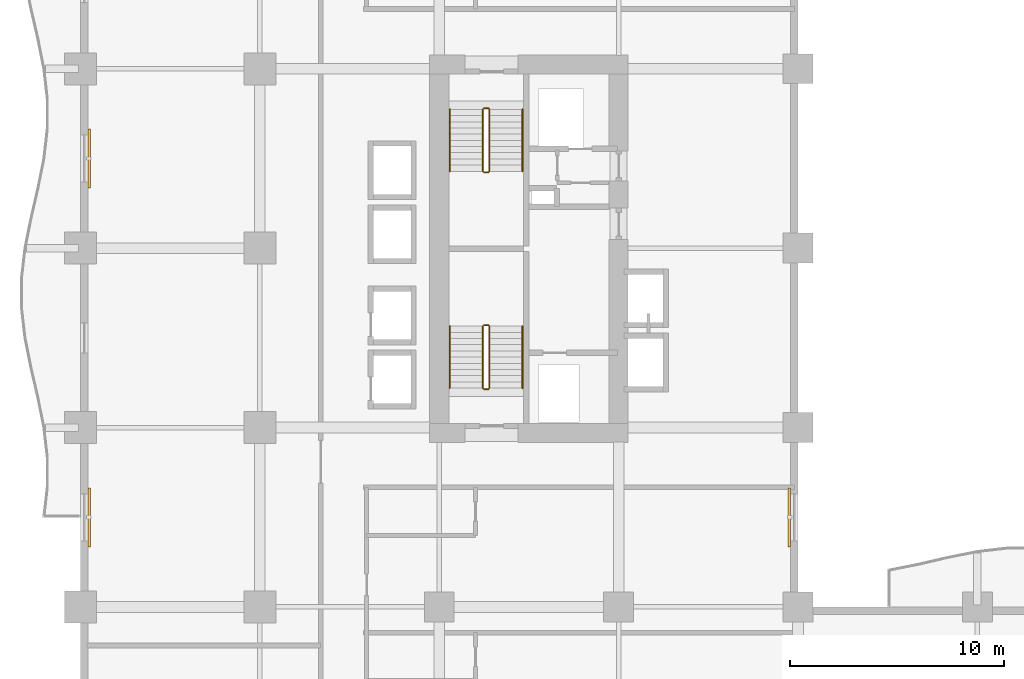
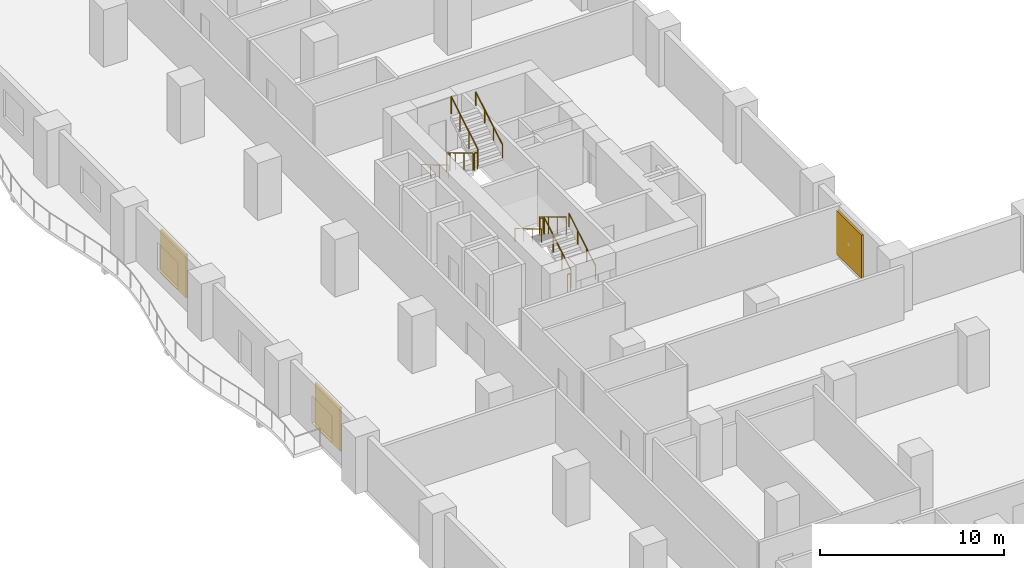
# One storey, part 19 of 20: 12 railings, 3 shading devices.
"""IFC4 building model written with IfcOpenShell, lengths in metres."""

from ifc_helpers import new_model, si_unit, direction, frame, origin, origin_2d, place, context, subcontext, project, spatial, rectangle, circle, extrude, material, layer, layer_set, type_object, element, save


model = new_model("IFC4")

# Units and contexts
model_context = context("Model", 3, precision=1e-05, world=origin(), true_north=direction((0.0, 1.0)))
body_context = subcontext(model_context, "Body", "Model", "MODEL_VIEW")
ifc_project = project(units=[si_unit("LENGTHUNIT", "METRE"), si_unit("AREAUNIT", "SQUARE_METRE"), si_unit("VOLUMEUNIT", "CUBIC_METRE"), si_unit("PLANEANGLEUNIT", "RADIAN"), si_unit("MASSUNIT", "GRAM", prefix="KILO")], contexts=[model_context])

# Site, building, storey
site_placement = place(None, origin())
site = spatial("IfcSite", under=ifc_project, at=site_placement, CompositionType="ELEMENT")
building_placement = place(site_placement, origin())
building = spatial("IfcBuilding", under=site, at=building_placement, Name="Koriwani Terraces Tower", CompositionType="ELEMENT")
storey_placement = place(building_placement, frame((0.0, 0.0, 58.60009765625)))
storey = spatial("IfcBuildingStorey", under=building, at=storey_placement, Name="L13", CompositionType="ELEMENT", Elevation=58.60009765625)

# Railings
ifc_material_1 = material(Name="Steel ASTM A572 Grade 50", Category="steel")
railing_type_1 = type_object("IfcRailingType", Name="GUARD_STAIR_WELL_1120", PredefinedType="GUARDRAIL", material=ifc_material_1)
railing_1_placement = place(storey_placement, frame((19.14990234375, 43.85009765625, 0.172607421875)))
element("IfcRailing", 1, at=railing_1_placement, inside=storey, type_object=railing_type_1, Name="L13 ST-W1 stair guard 1", PredefinedType="GUARDRAIL", context=body_context, shape_type="SweptSolid", body=[
    extrude(circle(Radius=0.02392578125, at=origin_2d()), frame((0.0, 0.0, 1.1259765625), z_axis=(0.0, 0.859141464434, 0.511738159696), x_axis=(-1.0, 0.0, 0.0)), (0.0, 0.0, 1.0), 3.375244140625),
    extrude(circle(Radius=0.02099609375, at=origin_2d()), origin(), (0.0, 0.0, 1.0), 1.101806640625),
    extrude(circle(Radius=0.02099609375, at=origin_2d()), frame((0.0, 0.966552734375, 0.57568359375)), (0.0, 0.0, 1.0), 1.101806640625),
    extrude(circle(Radius=0.02099609375, at=origin_2d()), frame((0.0, 1.933349609375, 1.151611328125)), (0.0, 0.0, 1.0), 1.101806640625),
    extrude(circle(Radius=0.02099609375, at=origin_2d()), frame((0.0, 2.89990234375, 1.727294921875)), (0.0, 0.0, 1.0), 1.101806640625),
])
railing_2_placement = place(storey_placement, frame((19.10009765625, 46.800048828125, 1.89990234375)))
element("IfcRailing", 2, at=railing_2_placement, inside=storey, type_object=railing_type_1, Name="L13 ST-W1 stair guard 2", PredefinedType="GUARDRAIL", context=body_context, shape_type="SweptSolid", body=[
    extrude(circle(Radius=0.02392578125, at=origin_2d()), frame((0.0, 0.0, 1.1259765625), z_axis=(-1.0, 0.0, 0.0), x_axis=(0.0, -1.0, 0.0)), (0.0, 0.0, 1.0), 0.2001953125),
    extrude(circle(Radius=0.02099609375, at=origin_2d()), origin(), (0.0, 0.0, 1.0), 1.101806640625),
    extrude(circle(Radius=0.02099609375, at=origin_2d()), frame((-0.2001953125, 0.0, 0.0)), (0.0, 0.0, 1.0), 1.101806640625),
])
railing_3_placement = place(storey_placement, frame((18.85009765625, 46.75, 2.072509765625)))
element("IfcRailing", 3, at=railing_3_placement, inside=storey, type_object=railing_type_1, Name="L13 ST-W1 stair guard 3", PredefinedType="GUARDRAIL", context=body_context, shape_type="SweptSolid", body=[
    extrude(circle(Radius=0.02392578125, at=origin_2d()), frame((0.0, 0.0, 1.1259765625), z_axis=(0.0, -0.859141464434, 0.511738159696), x_axis=(1.0, 0.0, 0.0)), (0.0, 0.0, 1.0), 3.375244140625),
    extrude(circle(Radius=0.02099609375, at=origin_2d()), origin(), (0.0, 0.0, 1.0), 1.101806640625),
    extrude(circle(Radius=0.02099609375, at=origin_2d()), frame((0.0, -0.966552734375, 0.57568359375)), (0.0, 0.0, 1.0), 1.101806640625),
    extrude(circle(Radius=0.02099609375, at=origin_2d()), frame((0.0, -1.933349609375, 1.151611328125)), (0.0, 0.0, 1.0), 1.101806640625),
    extrude(circle(Radius=0.02099609375, at=origin_2d()), frame((0.0, -2.89990234375, 1.727294921875)), (0.0, 0.0, 1.0), 1.101806640625),
])
railing_4_placement = place(storey_placement, frame((19.10009765625, 43.800048828125, 0.0)))
element("IfcRailing", 4, at=railing_4_placement, inside=storey, type_object=railing_type_1, Name="L13 ST-W1 stair guard 4", PredefinedType="GUARDRAIL", context=body_context, shape_type="SweptSolid", body=[
    extrude(circle(Radius=0.02392578125, at=origin_2d()), frame((0.0, 0.0, 1.1259765625), z_axis=(-1.0, 0.0, 0.0), x_axis=(0.0, -1.0, 0.0)), (0.0, 0.0, 1.0), 0.2001953125),
    extrude(circle(Radius=0.02099609375, at=origin_2d()), origin(), (0.0, 0.0, 1.0), 1.101806640625),
    extrude(circle(Radius=0.02099609375, at=origin_2d()), frame((-0.2001953125, 0.0, 0.0)), (0.0, 0.0, 1.0), 1.101806640625),
])
railing_5_placement = place(storey_placement, frame((18.85009765625, 56.89990234375, 0.172607421875)))
element("IfcRailing", 5, at=railing_5_placement, inside=storey, type_object=railing_type_1, Name="L13 ST-W2 stair guard 1", PredefinedType="GUARDRAIL", context=body_context, shape_type="SweptSolid", body=[
    extrude(circle(Radius=0.02392578125, at=origin_2d()), frame((0.0, 0.0, 1.1259765625), z_axis=(0.0, -0.859141464434, 0.511738159696), x_axis=(1.0, 0.0, 0.0)), (0.0, 0.0, 1.0), 3.375244140625),
    extrude(circle(Radius=0.02099609375, at=origin_2d()), origin(), (0.0, 0.0, 1.0), 1.101806640625),
    extrude(circle(Radius=0.02099609375, at=origin_2d()), frame((0.0, -0.966552734375, 0.57568359375)), (0.0, 0.0, 1.0), 1.101806640625),
    extrude(circle(Radius=0.02099609375, at=origin_2d()), frame((0.0, -1.933349609375, 1.151611328125)), (0.0, 0.0, 1.0), 1.101806640625),
    extrude(circle(Radius=0.02099609375, at=origin_2d()), frame((0.0, -2.89990234375, 1.727294921875)), (0.0, 0.0, 1.0), 1.101806640625),
])
railing_6_placement = place(storey_placement, frame((18.89990234375, 53.949951171875, 1.89990234375)))
element("IfcRailing", 6, at=railing_6_placement, inside=storey, type_object=railing_type_1, Name="L13 ST-W2 stair guard 2", PredefinedType="GUARDRAIL", context=body_context, shape_type="SweptSolid", body=[
    extrude(circle(Radius=0.02392578125, at=origin_2d()), frame((0.0, 0.0, 1.1259765625), z_axis=(1.0, 0.0, 0.0), x_axis=(0.0, 1.0, 0.0)), (0.0, 0.0, 1.0), 0.2001953125),
    extrude(circle(Radius=0.02099609375, at=origin_2d()), origin(), (0.0, 0.0, 1.0), 1.101806640625),
    extrude(circle(Radius=0.02099609375, at=origin_2d()), frame((0.2001953125, 0.0, 0.0)), (0.0, 0.0, 1.0), 1.101806640625),
])
railing_7_placement = place(storey_placement, frame((19.14990234375, 54.0, 2.072509765625)))
element("IfcRailing", 7, at=railing_7_placement, inside=storey, type_object=railing_type_1, Name="L13 ST-W2 stair guard 3", PredefinedType="GUARDRAIL", context=body_context, shape_type="SweptSolid", body=[
    extrude(circle(Radius=0.02392578125, at=origin_2d()), frame((0.0, 0.0, 1.1259765625), z_axis=(0.0, 0.859141464434, 0.511738159696), x_axis=(-1.0, 0.0, 0.0)), (0.0, 0.0, 1.0), 3.375244140625),
    extrude(circle(Radius=0.02099609375, at=origin_2d()), origin(), (0.0, 0.0, 1.0), 1.101806640625),
    extrude(circle(Radius=0.02099609375, at=origin_2d()), frame((0.0, 0.966552734375, 0.57568359375)), (0.0, 0.0, 1.0), 1.101806640625),
    extrude(circle(Radius=0.02099609375, at=origin_2d()), frame((0.0, 1.933349609375, 1.151611328125)), (0.0, 0.0, 1.0), 1.101806640625),
    extrude(circle(Radius=0.02099609375, at=origin_2d()), frame((0.0, 2.89990234375, 1.727294921875)), (0.0, 0.0, 1.0), 1.101806640625),
])
railing_8_placement = place(storey_placement, frame((18.89990234375, 56.949951171875, 0.0)))
element("IfcRailing", 8, at=railing_8_placement, inside=storey, type_object=railing_type_1, Name="L13 ST-W2 stair guard 4", PredefinedType="GUARDRAIL", context=body_context, shape_type="SweptSolid", body=[
    extrude(circle(Radius=0.02392578125, at=origin_2d()), frame((0.0, 0.0, 1.1259765625), z_axis=(1.0, 0.0, 0.0), x_axis=(0.0, 1.0, 0.0)), (0.0, 0.0, 1.0), 0.2001953125),
    extrude(circle(Radius=0.02099609375, at=origin_2d()), origin(), (0.0, 0.0, 1.0), 1.101806640625),
    extrude(circle(Radius=0.02099609375, at=origin_2d()), frame((0.2001953125, 0.0, 0.0)), (0.0, 0.0, 1.0), 1.101806640625),
])
railing_type_2 = type_object("IfcRailingType", Name="HANDRAIL_STAIR_920", PredefinedType="HANDRAIL", material=ifc_material_1)
railing_9_placement = place(storey_placement, frame((20.699951171875, 43.85009765625, 0.172607421875)))
element("IfcRailing", 9, at=railing_9_placement, inside=storey, type_object=railing_type_2, Name="L13 ST-W1 stair handrail 1", PredefinedType="HANDRAIL", context=body_context, shape_type="SweptSolid", body=[
    extrude(circle(Radius=0.02392578125, at=origin_2d()), frame((0.0, 0.0, 0.8759765625), z_axis=(0.0, 0.859141464434, 0.511738159696), x_axis=(-1.0, 0.0, 0.0)), (0.0, 0.0, 1.0), 3.375244140625),
    extrude(circle(Radius=0.02099609375, at=origin_2d()), origin(), (0.0, 0.0, 1.0), 0.851806640625),
    extrude(circle(Radius=0.02099609375, at=origin_2d()), frame((0.0, 0.966552734375, 0.57568359375)), (0.0, 0.0, 1.0), 0.851806640625),
    extrude(circle(Radius=0.02099609375, at=origin_2d()), frame((0.0, 1.933349609375, 1.151611328125)), (0.0, 0.0, 1.0), 0.851806640625),
    extrude(circle(Radius=0.02099609375, at=origin_2d()), frame((0.0, 2.89990234375, 1.727294921875)), (0.0, 0.0, 1.0), 0.851806640625),
])
for number, where, name in (
    (10, (17.300048828125, 46.75, 2.072509765625), "L13 ST-W1 stair handrail 2"),
    (11, (17.300048828125, 56.89990234375, 0.172607421875), "L13 ST-W2 stair handrail 1"),
):
    element("IfcRailing", number, at=place(storey_placement, frame(where)), inside=storey, type_object=railing_type_2, Name=name, PredefinedType="HANDRAIL", context=body_context, shape_type="SweptSolid", body=[
        extrude(circle(Radius=0.02392578125, at=origin_2d()), frame((0.0, 0.0, 0.8759765625), z_axis=(0.0, -0.859141464434, 0.511738159696), x_axis=(1.0, 0.0, 0.0)), (0.0, 0.0, 1.0), 3.375244140625),
        extrude(circle(Radius=0.02099609375, at=origin_2d()), origin(), (0.0, 0.0, 1.0), 0.851806640625),
        extrude(circle(Radius=0.02099609375, at=origin_2d()), frame((0.0, -0.966552734375, 0.57568359375)), (0.0, 0.0, 1.0), 0.851806640625),
        extrude(circle(Radius=0.02099609375, at=origin_2d()), frame((0.0, -1.933349609375, 1.151611328125)), (0.0, 0.0, 1.0), 0.851806640625),
        extrude(circle(Radius=0.02099609375, at=origin_2d()), frame((0.0, -2.89990234375, 1.727294921875)), (0.0, 0.0, 1.0), 0.851806640625),
    ])
railing_10_placement = place(storey_placement, frame((20.699951171875, 54.0, 2.072509765625)))
element("IfcRailing", 12, at=railing_10_placement, inside=storey, type_object=railing_type_2, Name="L13 ST-W2 stair handrail 2", PredefinedType="HANDRAIL", context=body_context, shape_type="SweptSolid", body=[
    extrude(circle(Radius=0.02392578125, at=origin_2d()), frame((0.0, 0.0, 0.8759765625), z_axis=(0.0, 0.859141464434, 0.511738159696), x_axis=(-1.0, 0.0, 0.0)), (0.0, 0.0, 1.0), 3.375244140625),
    extrude(circle(Radius=0.02099609375, at=origin_2d()), origin(), (0.0, 0.0, 1.0), 0.851806640625),
    extrude(circle(Radius=0.02099609375, at=origin_2d()), frame((0.0, 0.966552734375, 0.57568359375)), (0.0, 0.0, 1.0), 0.851806640625),
    extrude(circle(Radius=0.02099609375, at=origin_2d()), frame((0.0, 1.933349609375, 1.151611328125)), (0.0, 0.0, 1.0), 0.851806640625),
    extrude(circle(Radius=0.02099609375, at=origin_2d()), frame((0.0, 2.89990234375, 1.727294921875)), (0.0, 0.0, 1.0), 0.851806640625),
])

# Shading devices
ifc_material_2 = material(Name="Extruded Terracotta Clay", Category="masonry")
ifc_layer = layer(ifc_material_2, 0.1201171875, Name="Extruded Terracotta Clay")
ifc_layer_set = layer_set([ifc_layer], Name="Extruded Terracotta Clay")
shading_device_type = type_object("IfcShadingDeviceType", Name="TERRACOTTA_BAGUETTE_SCREEN_2800", PredefinedType="USERDEFINED", material=ifc_layer_set)
for number, where, z_axis, x_axis, name in (
    (13, (0.405029296875, 37.800048828125, 0.324951171875), (0.0, 0.0, 1.0), (0.0, 1.0, 0.0), "L13 Extruded Terracotta Baguette Screen (W-12)"),
    (14, (0.405029296875, 54.60009765625, 0.324951171875), (0.0, 0.0, 1.0), (0.0, 1.0, 0.0), "L13 Extruded Terracotta Baguette Screen (W-18)"),
    (15, (33.195068359375, 37.800048828125, 0.324951171875), (0.0, 0.0, 1.0), (0.0, -1.0, 0.0), "L13 Extruded Terracotta Baguette Screen (NW_IN-2)"),
):
    element("IfcShadingDevice", number, at=place(storey_placement, frame(where, z_axis=z_axis, x_axis=x_axis)), inside=storey, type_object=shading_device_type, Name=name, ObjectType="BAGUETTE", PredefinedType="USERDEFINED", context=body_context, shape_type="SweptSolid", body=[
        extrude(rectangle(XDim=2.760009765625, YDim=0.1201171875, at=origin_2d()), origin(), (0.0, 0.0, 1.0), 2.89990234375),
    ])

save(model, "model.ifc")
